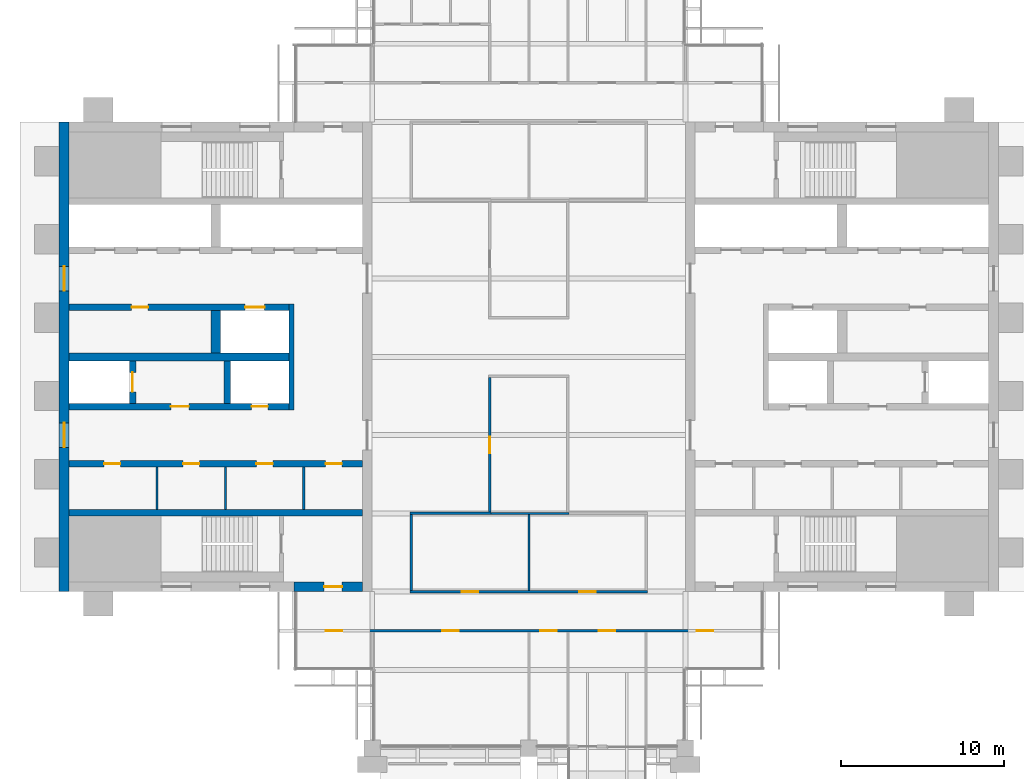
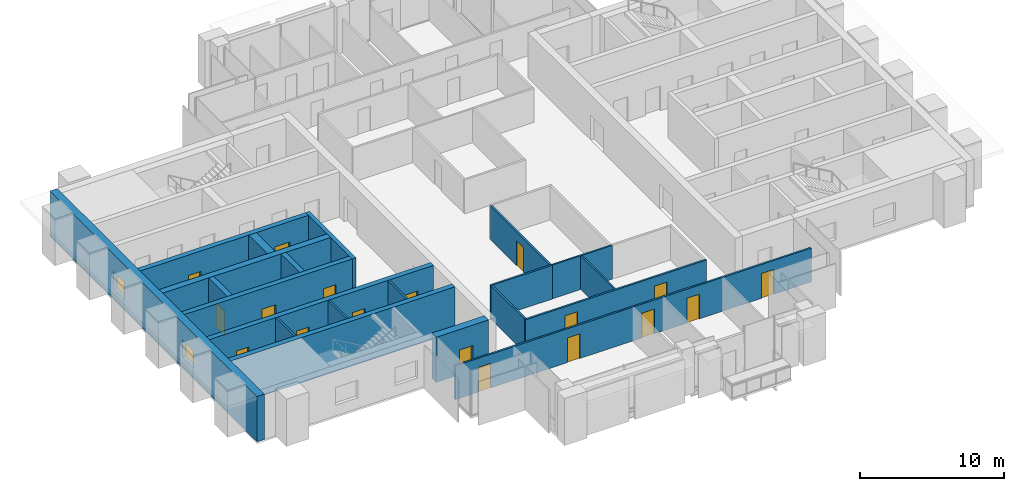
# One storey, part 8 of 13: 21 walls, 18 doors, 2 windows, 20 openings.
"""IFC4 building model written with IfcOpenShell, lengths in metres."""

from ifc_helpers import new_model, si_unit, direction, frame, frame_2d, origin, place, context, subcontext, project, spatial, rectangle, extrude, material, layer, layer_set, type_object, element, fill, save


model = new_model("IFC4")

# Units and contexts
model_context = context("Model", 3, precision=1e-05, world=origin(), true_north=direction((0.0, 1.0)))
body_context = subcontext(model_context, "Body", "Model", "MODEL_VIEW")
ifc_project = project(units=[si_unit("LENGTHUNIT", "METRE"), si_unit("AREAUNIT", "SQUARE_METRE"), si_unit("VOLUMEUNIT", "CUBIC_METRE"), si_unit("PLANEANGLEUNIT", "RADIAN"), si_unit("MASSUNIT", "GRAM", prefix="KILO")], contexts=[model_context])

# Site, building, storey
site_placement = place(None, origin())
site = spatial("IfcSite", under=ifc_project, at=site_placement, CompositionType="ELEMENT")
building_placement = place(site_placement, origin())
building = spatial("IfcBuilding", under=site, at=building_placement, Name="Baori Bourse Tower", CompositionType="ELEMENT")
storey_placement = place(building_placement, frame((0.0, 0.0, 302.300048828125)))
storey = spatial("IfcBuildingStorey", under=building, at=storey_placement, Name="L66", CompositionType="ELEMENT", Elevation=302.300048828125)

# Walls
ifc_material_1 = material(Name="Blockwork partition", Category="masonry")
ifc_layer_1 = layer(ifc_material_1, 0.14990234375)
ifc_layer_set_1 = layer_set([ifc_layer_1], Name="Core partition 150")
wall_type_1 = type_object("IfcWallType", Name="Core partition 150", PredefinedType="PARTITIONING", material=ifc_layer_set_1)
for number, where, z_axis, x_axis, name in (
    (1, (6.0, 14.64990234375, 0.0), (0.0, 0.0, 1.0), (0.0, 1.0, 0.0), "Partition wall W09"),
    (2, (10.199951171875, 14.64990234375, 0.0), (0.0, 0.0, 1.0), (0.0, 1.0, 0.0), "Partition wall W10"),
    (3, (15.0, 14.64990234375, 0.0), (0.0, 0.0, 1.0), (0.0, 1.0, 0.0), "Partition wall W11"),
):
    element("IfcWall", number, at=place(storey_placement, frame(where, z_axis=z_axis, x_axis=x_axis)), inside=storey, type_object=wall_type_1, Name=name, PredefinedType="PARTITIONING", context=body_context, shape_type="SweptSolid", body=[
        extrude(rectangle(XDim=2.60009765625, YDim=0.14990234375, at=frame_2d((1.300048828125, 0.0))), origin(), (0.0, 0.0, 1.0), 3.83984375),
    ])

# Wall, openings, windows
ifc_material_2 = material(Name="Concrete f'c 40 MPa", Category="concrete")
ifc_layer_2 = layer(ifc_material_2, 0.60009765625)
ifc_layer_set_2 = layer_set([ifc_layer_2], Name="Core wall 600 f'c 40")
wall_type_2 = type_object("IfcWallType", Name="Core wall 600 f'c 40", PredefinedType="SHEAR", material=ifc_layer_set_2)
wall_1_placement = place(storey_placement, frame((0.300048828125, 9.60009765625, 0.0), z_axis=(0.0, 0.0, 1.0), x_axis=(0.0, 1.0, 0.0)))
wall_1 = element("IfcWall", 4, at=wall_1_placement, inside=storey, type_object=wall_type_2, Name="Core wall W01", PredefinedType="SHEAR", context=body_context, shape_type="SweptSolid", body=[
    extrude(rectangle(XDim=28.7998046875, YDim=0.60009765625, at=frame_2d((14.39990234375, 0.0))), origin(), (0.0, 0.0, 1.0), 3.83984375),
])
opening_1_placement = place(wall_1_placement, frame((8.85009765625, 0.0, 0.89990234375)))
opening_1 = element("IfcOpeningElement", 5, at=opening_1_placement, cuts=wall_1, Name="Opening L66-KW101", PredefinedType="OPENING", context=body_context, shape_type="SweptSolid", body=[
    extrude(rectangle(XDim=1.5, YDim=1.5, at=frame_2d((0.75, 0.75))), frame((0.0, 0.31005859375, 0.0), z_axis=(0.0, -1.0, 0.0), x_axis=(1.0, 0.0, 0.0)), (0.0, 0.0, 1.0), 0.6201171875),
])
opening_2_placement = place(wall_1_placement, frame((18.449951171875, 0.0, 0.89990234375)))
opening_2 = element("IfcOpeningElement", 6, at=opening_2_placement, cuts=wall_1, Name="Opening L66-KW102", PredefinedType="OPENING", context=body_context, shape_type="SweptSolid", body=[
    extrude(rectangle(XDim=1.5, YDim=1.5, at=frame_2d((0.75, 0.75))), frame((0.0, 0.31005859375, 0.0), z_axis=(0.0, -1.0, 0.0), x_axis=(1.0, 0.0, 0.0)), (0.0, 0.0, 1.0), 0.6201171875),
])
ifc_material_3 = material(Name="Pale anodised aluminium", Category="aluminium")
window_type = type_object("IfcWindowType", Name="Lobby window 1500 x 1500", PartitioningType="SINGLE_PANEL", PredefinedType="WINDOW", material=ifc_material_3)
window_1_placement = place(opening_1_placement, origin())
window_1 = element("IfcWindow", 7, at=window_1_placement, inside=storey, type_object=window_type, Name="Outer wall window W L66 1", OverallHeight=1.5, OverallWidth=1.5, PartitioningType="SINGLE_PANEL", PredefinedType="WINDOW", context=body_context, shape_type="SweptSolid", body=[
    extrude(rectangle(XDim=1.5, YDim=1.5, at=frame_2d((0.75, 0.75))), frame((0.0, 0.030029296875, 0.0), z_axis=(0.0, -1.0, 0.0), x_axis=(1.0, 0.0, 0.0)), (0.0, 0.0, 1.0), 0.06005859375),
])
fill(opening_1, window_1)
window_2_placement = place(opening_2_placement, origin())
window_2 = element("IfcWindow", 8, at=window_2_placement, inside=storey, type_object=window_type, Name="Outer wall window W L66 2", OverallHeight=1.5, OverallWidth=1.5, PartitioningType="SINGLE_PANEL", PredefinedType="WINDOW", context=body_context, shape_type="SweptSolid", body=[
    extrude(rectangle(XDim=1.5, YDim=1.5, at=frame_2d((0.75, 0.75))), frame((0.0, 0.030029296875, 0.0), z_axis=(0.0, -1.0, 0.0), x_axis=(1.0, 0.0, 0.0)), (0.0, 0.0, 1.0), 0.06005859375),
])
fill(opening_2, window_2)

# Wall, opening, door
wall_2_placement = place(storey_placement, frame((18.60009765625, 9.89990234375, 0.0), z_axis=(0.0, 0.0, 1.0), x_axis=(-1.0, 0.0, 0.0)))
wall_2 = element("IfcWall", 9, at=wall_2_placement, inside=storey, type_object=wall_type_2, Name="Core wall W03", PredefinedType="SHEAR", context=body_context, shape_type="SweptSolid", body=[
    extrude(rectangle(XDim=4.2001953125, YDim=0.60009765625, at=frame_2d((2.10009765625, 0.0))), origin(), (0.0, 0.0, 1.0), 3.83984375),
])
opening_3_placement = place(wall_2_placement, frame((1.25, 0.0, 0.0)))
opening_3 = element("IfcOpeningElement", 10, at=opening_3_placement, cuts=wall_2, Name="Opening L66-D102", PredefinedType="OPENING", context=body_context, shape_type="SweptSolid", body=[
    extrude(rectangle(XDim=1.10009765625, YDim=2.10009765625, at=frame_2d((0.550048828125, 1.050048828125))), frame((0.0, 0.31005859375, 0.0), z_axis=(0.0, -1.0, 0.0), x_axis=(1.0, 0.0, 0.0)), (0.0, 0.0, 1.0), 0.6201171875),
])
ifc_material_4 = material(Name="Painted steel door", Category="steel")
door_type_1 = type_object("IfcDoorType", Name="Stair door 1100", OperationType="SINGLE_SWING_LEFT", PredefinedType="DOOR", material=ifc_material_4)
door_1_placement = place(opening_3_placement, origin())
door_1 = element("IfcDoor", 11, at=door_1_placement, inside=storey, type_object=door_type_1, Name="Stair vestibule door A W L66", OperationType="SINGLE_SWING_LEFT", OverallHeight=2.10009765625, OverallWidth=1.10009765625, PredefinedType="DOOR", context=body_context, shape_type="SweptSolid", body=[
    extrude(rectangle(XDim=1.10009765625, YDim=2.10009765625, at=frame_2d((0.550048828125, 1.050048828125))), frame((0.0, 0.02490234375, 0.0), z_axis=(0.0, -1.0, 0.0), x_axis=(1.0, 0.0, 0.0)), (0.0, 0.0, 1.0), 0.050048828125),
])
fill(opening_3, door_1)

# Wall, openings, doors
ifc_material_5 = material(Name="Gypsum board partition")
ifc_layer_3 = layer(ifc_material_5, 0.14990234375)
ifc_layer_set_3 = layer_set([ifc_layer_3], Name="Corridor partition 150")
wall_type_3 = type_object("IfcWallType", Name="Corridor partition 150", PredefinedType="PARTITIONING", material=ifc_layer_set_3)
wall_3_placement = place(storey_placement, frame((14.5, 7.199951171875, 0.0), z_axis=(0.0, 0.0, 1.0), x_axis=(1.0, 0.0, 0.0)))
wall_3 = element("IfcWall", 12, at=wall_3_placement, inside=storey, type_object=wall_type_3, Name="Partition", PredefinedType="PARTITIONING", context=body_context, shape_type="SweptSolid", body=[
    extrude(rectangle(XDim=28.60009765625, YDim=0.14990234375, at=frame_2d((14.300048828125, 0.0))), origin(), (0.0, 0.0, 1.0), 2.86962890625),
])
opening_4_placement = place(wall_3_placement, frame((1.85009765625, 0.0, 0.0)))
opening_4 = element("IfcOpeningElement", 13, at=opening_4_placement, cuts=wall_3, Name="Opening L66-D01", PredefinedType="OPENING", context=body_context, shape_type="SweptSolid", body=[
    extrude(rectangle(XDim=1.0, YDim=2.10009765625, at=frame_2d((0.5, 1.050048828125))), frame((0.0, 0.0849609375, 0.0), z_axis=(0.0, -1.0, 0.0), x_axis=(1.0, 0.0, 0.0)), (0.0, 0.0, 1.0), 0.169921875),
])
opening_5_placement = place(wall_3_placement, frame((9.0, 0.0, 0.0)))
opening_5 = element("IfcOpeningElement", 14, at=opening_5_placement, cuts=wall_3, Name="Opening L66-D02", PredefinedType="OPENING", context=body_context, shape_type="SweptSolid", body=[
    extrude(rectangle(XDim=1.0, YDim=2.10009765625, at=frame_2d((0.5, 1.050048828125))), frame((0.0, 0.0849609375, 0.0), z_axis=(0.0, -1.0, 0.0), x_axis=(1.0, 0.0, 0.0)), (0.0, 0.0, 1.0), 0.169921875),
])
opening_6_placement = place(wall_3_placement, frame((15.0, 0.0, 0.0)))
opening_6 = element("IfcOpeningElement", 15, at=opening_6_placement, cuts=wall_3, Name="Opening L66-D03", PredefinedType="OPENING", context=body_context, shape_type="SweptSolid", body=[
    extrude(rectangle(XDim=1.0, YDim=2.10009765625, at=frame_2d((0.5, 1.050048828125))), frame((0.0, 0.0849609375, 0.0), z_axis=(0.0, -1.0, 0.0), x_axis=(1.0, 0.0, 0.0)), (0.0, 0.0, 1.0), 0.169921875),
])
opening_7_placement = place(wall_3_placement, frame((18.60009765625, 0.0, 0.0)))
opening_7 = element("IfcOpeningElement", 16, at=opening_7_placement, cuts=wall_3, Name="Opening L66-D04", PredefinedType="OPENING", context=body_context, shape_type="SweptSolid", body=[
    extrude(rectangle(XDim=1.0, YDim=2.10009765625, at=frame_2d((0.5, 1.050048828125))), frame((0.0, 0.0849609375, 0.0), z_axis=(0.0, -1.0, 0.0), x_axis=(1.0, 0.0, 0.0)), (0.0, 0.0, 1.0), 0.169921875),
])
opening_8_placement = place(wall_3_placement, frame((24.60009765625, 0.0, 0.0)))
opening_8 = element("IfcOpeningElement", 17, at=opening_8_placement, cuts=wall_3, Name="Opening L66-D05", PredefinedType="OPENING", context=body_context, shape_type="SweptSolid", body=[
    extrude(rectangle(XDim=1.0, YDim=2.10009765625, at=frame_2d((0.5, 1.050048828125))), frame((0.0, 0.0849609375, 0.0), z_axis=(0.0, -1.0, 0.0), x_axis=(1.0, 0.0, 0.0)), (0.0, 0.0, 1.0), 0.169921875),
])
ifc_material_6 = material(Name="Timber door leaf", Category="wood")
door_type_2 = type_object("IfcDoorType", Name="Door 1000 x 2100", OperationType="SINGLE_SWING_LEFT", PredefinedType="DOOR", material=ifc_material_6)
door_2_placement = place(opening_4_placement, origin())
door_2 = element("IfcDoor", 18, at=door_2_placement, inside=storey, type_object=door_type_2, Name="Door", OperationType="SINGLE_SWING_LEFT", OverallHeight=2.10009765625, OverallWidth=1.0, PredefinedType="DOOR", context=body_context, shape_type="SweptSolid", body=[
    extrude(rectangle(XDim=1.0, YDim=2.10009765625, at=frame_2d((0.5, 1.050048828125))), frame((0.0, 0.02490234375, 0.0), z_axis=(0.0, -1.0, 0.0), x_axis=(1.0, 0.0, 0.0)), (0.0, 0.0, 1.0), 0.050048828125),
])
fill(opening_4, door_2)
door_3_placement = place(opening_5_placement, origin())
door_3 = element("IfcDoor", 19, at=door_3_placement, inside=storey, type_object=door_type_2, Name="Door", OperationType="SINGLE_SWING_LEFT", OverallHeight=2.10009765625, OverallWidth=1.0, PredefinedType="DOOR", context=body_context, shape_type="SweptSolid", body=[
    extrude(rectangle(XDim=1.0, YDim=2.10009765625, at=frame_2d((0.5, 1.050048828125))), frame((0.0, 0.02490234375, 0.0), z_axis=(0.0, -1.0, 0.0), x_axis=(1.0, 0.0, 0.0)), (0.0, 0.0, 1.0), 0.050048828125),
])
fill(opening_5, door_3)
door_4_placement = place(opening_6_placement, origin())
door_4 = element("IfcDoor", 20, at=door_4_placement, inside=storey, type_object=door_type_2, Name="Door", OperationType="SINGLE_SWING_RIGHT", OverallHeight=2.10009765625, OverallWidth=1.0, PredefinedType="DOOR", context=body_context, shape_type="SweptSolid", body=[
    extrude(rectangle(XDim=1.0, YDim=2.10009765625, at=frame_2d((0.5, 1.050048828125))), frame((0.0, 0.02490234375, 0.0), z_axis=(0.0, -1.0, 0.0), x_axis=(1.0, 0.0, 0.0)), (0.0, 0.0, 1.0), 0.050048828125),
])
fill(opening_6, door_4)
door_5_placement = place(opening_7_placement, origin())
door_5 = element("IfcDoor", 21, at=door_5_placement, inside=storey, type_object=door_type_2, Name="Door", OperationType="SINGLE_SWING_RIGHT", OverallHeight=2.10009765625, OverallWidth=1.0, PredefinedType="DOOR", context=body_context, shape_type="SweptSolid", body=[
    extrude(rectangle(XDim=1.0, YDim=2.10009765625, at=frame_2d((0.5, 1.050048828125))), frame((0.0, 0.02490234375, 0.0), z_axis=(0.0, -1.0, 0.0), x_axis=(1.0, 0.0, 0.0)), (0.0, 0.0, 1.0), 0.050048828125),
])
fill(opening_7, door_5)
door_6_placement = place(opening_8_placement, origin())
door_6 = element("IfcDoor", 22, at=door_6_placement, inside=storey, type_object=door_type_2, Name="Door", OperationType="SINGLE_SWING_RIGHT", OverallHeight=2.10009765625, OverallWidth=1.0, PredefinedType="DOOR", context=body_context, shape_type="SweptSolid", body=[
    extrude(rectangle(XDim=1.0, YDim=2.10009765625, at=frame_2d((0.5, 1.050048828125))), frame((0.0, 0.02490234375, 0.0), z_axis=(0.0, -1.0, 0.0), x_axis=(1.0, 0.0, 0.0)), (0.0, 0.0, 1.0), 0.050048828125),
])
fill(opening_8, door_6)

wall_4_placement = place(storey_placement, frame((21.52490234375, 9.60009765625, 0.0), z_axis=(0.0, 0.0, 1.0), x_axis=(1.0, 0.0, 0.0)))
wall_4 = element("IfcWall", 23, at=wall_4_placement, inside=storey, type_object=wall_type_3, Name="Partition", PredefinedType="PARTITIONING", context=body_context, shape_type="SweptSolid", body=[
    extrude(rectangle(XDim=14.550048828125, YDim=0.14990234375, at=frame_2d((7.27490234375, 0.0))), origin(), (0.0, 0.0, 1.0), 2.86962890625),
])
opening_9_placement = place(wall_4_placement, frame((3.175048828125, 0.0, 0.0)))
opening_9 = element("IfcOpeningElement", 24, at=opening_9_placement, cuts=wall_4, Name="Opening L66-D06", PredefinedType="OPENING", context=body_context, shape_type="SweptSolid", body=[
    extrude(rectangle(XDim=1.0, YDim=2.10009765625, at=frame_2d((0.5, 1.050048828125))), frame((0.0, 0.0849609375, 0.0), z_axis=(0.0, -1.0, 0.0), x_axis=(1.0, 0.0, 0.0)), (0.0, 0.0, 1.0), 0.169921875),
])
opening_10_placement = place(wall_4_placement, frame((10.375, 0.0, 0.0)))
opening_10 = element("IfcOpeningElement", 25, at=opening_10_placement, cuts=wall_4, Name="Opening L66-D07", PredefinedType="OPENING", context=body_context, shape_type="SweptSolid", body=[
    extrude(rectangle(XDim=1.0, YDim=2.10009765625, at=frame_2d((0.5, 1.050048828125))), frame((0.0, 0.0849609375, 0.0), z_axis=(0.0, -1.0, 0.0), x_axis=(1.0, 0.0, 0.0)), (0.0, 0.0, 1.0), 0.169921875),
])
door_7_placement = place(opening_9_placement, origin())
door_7 = element("IfcDoor", 26, at=door_7_placement, inside=storey, type_object=door_type_2, Name="Door", OperationType="SINGLE_SWING_RIGHT", OverallHeight=2.10009765625, OverallWidth=1.0, PredefinedType="DOOR", context=body_context, shape_type="SweptSolid", body=[
    extrude(rectangle(XDim=1.0, YDim=2.10009765625, at=frame_2d((0.5, 1.050048828125))), frame((0.0, 0.02490234375, 0.0), z_axis=(0.0, -1.0, 0.0), x_axis=(1.0, 0.0, 0.0)), (0.0, 0.0, 1.0), 0.050048828125),
])
fill(opening_9, door_7)
door_8_placement = place(opening_10_placement, origin())
door_8 = element("IfcDoor", 27, at=door_8_placement, inside=storey, type_object=door_type_2, Name="Door", OperationType="SINGLE_SWING_LEFT", OverallHeight=2.10009765625, OverallWidth=1.0, PredefinedType="DOOR", context=body_context, shape_type="SweptSolid", body=[
    extrude(rectangle(XDim=1.0, YDim=2.10009765625, at=frame_2d((0.5, 1.050048828125))), frame((0.0, 0.02490234375, 0.0), z_axis=(0.0, -1.0, 0.0), x_axis=(1.0, 0.0, 0.0)), (0.0, 0.0, 1.0), 0.050048828125),
])
fill(opening_10, door_8)

# Walls
wall_5_placement = place(storey_placement, frame((21.52490234375, 14.39990234375, 0.0), z_axis=(0.0, 0.0, 1.0), x_axis=(1.0, 0.0, 0.0)))
element("IfcWall", 28, at=wall_5_placement, inside=storey, type_object=wall_type_3, Name="Partition", PredefinedType="PARTITIONING", context=body_context, shape_type="SweptSolid", body=[
    extrude(rectangle(XDim=4.9501953125, YDim=0.14990234375, at=frame_2d((2.47509765625, 0.0))), origin(), (0.0, 0.0, 1.0), 2.86962890625),
])
wall_6_placement = place(storey_placement, frame((21.60009765625, 9.675048828125, 0.0), z_axis=(0.0, 0.0, 1.0), x_axis=(0.0, 1.0, 0.0)))
element("IfcWall", 29, at=wall_6_placement, inside=storey, type_object=wall_type_3, Name="Partition", PredefinedType="PARTITIONING", context=body_context, shape_type="SweptSolid", body=[
    extrude(rectangle(XDim=4.64990234375, YDim=0.14990234375, at=frame_2d((2.324951171875, 0.0))), origin(), (0.0, 0.0, 1.0), 2.86962890625),
])

# Wall, opening, door
wall_7_placement = place(storey_placement, frame((26.39990234375, 14.47509765625, 0.0), z_axis=(0.0, 0.0, 1.0), x_axis=(0.0, 1.0, 0.0)))
wall_7 = element("IfcWall", 30, at=wall_7_placement, inside=storey, type_object=wall_type_3, Name="Partition", PredefinedType="PARTITIONING", context=body_context, shape_type="SweptSolid", body=[
    extrude(rectangle(XDim=8.25, YDim=0.14990234375, at=frame_2d((4.125, 0.0))), origin(), (0.0, 0.0, 1.0), 2.86962890625),
])
opening_11_placement = place(wall_7_placement, frame((3.625, 0.0, 0.0)))
opening_11 = element("IfcOpeningElement", 31, at=opening_11_placement, cuts=wall_7, Name="Opening L66-D20", PredefinedType="OPENING", context=body_context, shape_type="SweptSolid", body=[
    extrude(rectangle(XDim=1.0, YDim=2.10009765625, at=frame_2d((0.5, 1.050048828125))), frame((0.0, 0.0849609375, 0.0), z_axis=(0.0, -1.0, 0.0), x_axis=(1.0, 0.0, 0.0)), (0.0, 0.0, 1.0), 0.169921875),
])
door_9_placement = place(opening_11_placement, origin())
door_9 = element("IfcDoor", 32, at=door_9_placement, inside=storey, type_object=door_type_2, Name="Door", OperationType="SINGLE_SWING_RIGHT", OverallHeight=2.10009765625, OverallWidth=1.0, PredefinedType="DOOR", context=body_context, shape_type="SweptSolid", body=[
    extrude(rectangle(XDim=1.0, YDim=2.10009765625, at=frame_2d((0.5, 1.050048828125))), frame((0.0, 0.02490234375, 0.0), z_axis=(0.0, -1.0, 0.0), x_axis=(1.0, 0.0, 0.0)), (0.0, 0.0, 1.0), 0.050048828125),
])
fill(opening_11, door_9)

# Walls
ifc_material_7 = material(Name="Gypsum board partition")
ifc_layer_4 = layer(ifc_material_7, 0.125)
ifc_layer_set_4 = layer_set([ifc_layer_4], Name="Partition 125")
wall_type_4 = type_object("IfcWallType", Name="Partition 125", PredefinedType="PARTITIONING", material=ifc_layer_set_4)
wall_8_placement = place(storey_placement, frame((26.47509765625, 14.39990234375, 0.0), z_axis=(0.0, 0.0, 1.0), x_axis=(1.0, 0.0, 0.0)))
element("IfcWall", 33, at=wall_8_placement, inside=storey, type_object=wall_type_4, Name="Partition", PredefinedType="PARTITIONING", context=body_context, shape_type="SweptSolid", body=[
    extrude(rectangle(XDim=4.7998046875, YDim=0.125, at=frame_2d((2.39990234375, 0.0))), origin(), (0.0, 0.0, 1.0), 2.86962890625),
])
wall_9_placement = place(storey_placement, frame((28.800048828125, 9.675048828125, 0.0), z_axis=(0.0, 0.0, 1.0), x_axis=(0.0, 1.0, 0.0)))
element("IfcWall", 34, at=wall_9_placement, inside=storey, type_object=wall_type_4, Name="Partition", PredefinedType="PARTITIONING", context=body_context, shape_type="SweptSolid", body=[
    extrude(rectangle(XDim=4.662353515625, YDim=0.125, at=frame_2d((2.3310546875, 0.0))), origin(), (0.0, 0.0, 1.0), 2.86962890625),
])
ifc_material_8 = material(Name="Concrete f'c 40 MPa", Category="concrete")
ifc_layer_5 = layer(ifc_material_8, 0.300048828125)
ifc_layer_set_5 = layer_set([ifc_layer_5], Name="Shaft wall 300 f'c 40")
wall_type_5 = type_object("IfcWallType", Name="Shaft wall 300 f'c 40", PredefinedType="SHEAR", material=ifc_layer_set_5)
wall_10_placement = place(storey_placement, frame((14.25, 20.75, 0.0), z_axis=(0.0, 0.0, 1.0), x_axis=(0.0, 1.0, 0.0)))
element("IfcWall", 35, at=wall_10_placement, inside=storey, type_object=wall_type_5, Name="Core wall W14", PredefinedType="SHEAR", context=body_context, shape_type="SweptSolid", body=[
    extrude(rectangle(XDim=6.5, YDim=0.300048828125, at=frame_2d((3.25, 0.0))), origin(), (0.0, 0.0, 1.0), 3.83984375),
])
ifc_material_9 = material(Name="Concrete f'c 40 MPa", Category="concrete")
ifc_layer_6 = layer(ifc_material_9, 0.39990234375)
ifc_layer_set_6 = layer_set([ifc_layer_6], Name="Shaft wall 400 f'c 40")
wall_type_6 = type_object("IfcWallType", Name="Shaft wall 400 f'c 40", PredefinedType="SHEAR", material=ifc_layer_set_6)
wall_11_placement = place(storey_placement, frame((0.60009765625, 14.449951171875, 0.0), z_axis=(0.0, 0.0, 1.0), x_axis=(1.0, 0.0, 0.0)))
element("IfcWall", 36, at=wall_11_placement, inside=storey, type_object=wall_type_6, Name="Core wall W08", PredefinedType="SHEAR", context=body_context, shape_type="SweptSolid", body=[
    extrude(rectangle(XDim=18.0, YDim=0.39990234375, at=frame_2d((9.0, 0.0))), origin(), (0.0, 0.0, 1.0), 3.83984375),
])

# Wall, openings, doors
wall_12_placement = place(storey_placement, frame((0.60009765625, 17.449951171875, 0.0), z_axis=(0.0, 0.0, 1.0), x_axis=(1.0, 0.0, 0.0)))
wall_12 = element("IfcWall", 37, at=wall_12_placement, inside=storey, type_object=wall_type_6, Name="Core wall W12", PredefinedType="SHEAR", context=body_context, shape_type="SweptSolid", body=[
    extrude(rectangle(XDim=18.0, YDim=0.39990234375, at=frame_2d((9.0, 0.0))), origin(), (0.0, 0.0, 1.0), 3.83984375),
])
opening_12_placement = place(wall_12_placement, frame((2.16259765625, 0.0, 0.0)))
opening_12 = element("IfcOpeningElement", 38, at=opening_12_placement, cuts=wall_12, Name="Opening L66-D109", PredefinedType="OPENING", context=body_context, shape_type="SweptSolid", body=[
    extrude(rectangle(XDim=1.0, YDim=2.10009765625, at=frame_2d((0.5, 1.050048828125))), frame((0.0, 0.2099609375, 0.0), z_axis=(0.0, -1.0, 0.0), x_axis=(1.0, 0.0, 0.0)), (0.0, 0.0, 1.0), 0.419921875),
])
opening_13_placement = place(wall_12_placement, frame((7.0, 0.0, 0.0)))
opening_13 = element("IfcOpeningElement", 39, at=opening_13_placement, cuts=wall_12, Name="Opening L66-D110", PredefinedType="OPENING", context=body_context, shape_type="SweptSolid", body=[
    extrude(rectangle(XDim=1.0, YDim=2.10009765625, at=frame_2d((0.5, 1.050048828125))), frame((0.0, 0.2099609375, 0.0), z_axis=(0.0, -1.0, 0.0), x_axis=(1.0, 0.0, 0.0)), (0.0, 0.0, 1.0), 0.419921875),
])
opening_14_placement = place(wall_12_placement, frame((11.5, 0.0, 0.0)))
opening_14 = element("IfcOpeningElement", 40, at=opening_14_placement, cuts=wall_12, Name="Opening L66-D111", PredefinedType="OPENING", context=body_context, shape_type="SweptSolid", body=[
    extrude(rectangle(XDim=1.0, YDim=2.10009765625, at=frame_2d((0.5, 1.050048828125))), frame((0.0, 0.2099609375, 0.0), z_axis=(0.0, -1.0, 0.0), x_axis=(1.0, 0.0, 0.0)), (0.0, 0.0, 1.0), 0.419921875),
])
opening_15_placement = place(wall_12_placement, frame((15.737548828125, 0.0, 0.0)))
opening_15 = element("IfcOpeningElement", 41, at=opening_15_placement, cuts=wall_12, Name="Opening L66-D112", PredefinedType="OPENING", context=body_context, shape_type="SweptSolid", body=[
    extrude(rectangle(XDim=1.0, YDim=2.10009765625, at=frame_2d((0.5, 1.050048828125))), frame((0.0, 0.2099609375, 0.0), z_axis=(0.0, -1.0, 0.0), x_axis=(1.0, 0.0, 0.0)), (0.0, 0.0, 1.0), 0.419921875),
])
ifc_material_10 = material(Name="Painted steel door", Category="steel")
door_type_3 = type_object("IfcDoorType", Name="Core door 1000", OperationType="SINGLE_SWING_LEFT", PredefinedType="DOOR", material=ifc_material_10)
door_10_placement = place(opening_12_placement, origin())
door_10 = element("IfcDoor", 42, at=door_10_placement, inside=storey, type_object=door_type_3, Name="Men'S Wc door W L66", OperationType="SINGLE_SWING_LEFT", OverallHeight=2.10009765625, OverallWidth=1.0, PredefinedType="DOOR", context=body_context, shape_type="SweptSolid", body=[
    extrude(rectangle(XDim=1.0, YDim=2.10009765625, at=frame_2d((0.5, 1.050048828125))), frame((0.0, 0.02490234375, 0.0), z_axis=(0.0, -1.0, 0.0), x_axis=(1.0, 0.0, 0.0)), (0.0, 0.0, 1.0), 0.050048828125),
])
fill(opening_12, door_10)
door_11_placement = place(opening_13_placement, origin())
door_11 = element("IfcDoor", 43, at=door_11_placement, inside=storey, type_object=door_type_3, Name="Accessible Wc door W L66", OperationType="SINGLE_SWING_LEFT", OverallHeight=2.10009765625, OverallWidth=1.0, PredefinedType="DOOR", context=body_context, shape_type="SweptSolid", body=[
    extrude(rectangle(XDim=1.0, YDim=2.10009765625, at=frame_2d((0.5, 1.050048828125))), frame((0.0, 0.02490234375, 0.0), z_axis=(0.0, -1.0, 0.0), x_axis=(1.0, 0.0, 0.0)), (0.0, 0.0, 1.0), 0.050048828125),
])
fill(opening_13, door_11)
door_12_placement = place(opening_14_placement, origin())
door_12 = element("IfcDoor", 44, at=door_12_placement, inside=storey, type_object=door_type_3, Name="Women'S Wc door W L66", OperationType="SINGLE_SWING_LEFT", OverallHeight=2.10009765625, OverallWidth=1.0, PredefinedType="DOOR", context=body_context, shape_type="SweptSolid", body=[
    extrude(rectangle(XDim=1.0, YDim=2.10009765625, at=frame_2d((0.5, 1.050048828125))), frame((0.0, 0.02490234375, 0.0), z_axis=(0.0, -1.0, 0.0), x_axis=(1.0, 0.0, 0.0)), (0.0, 0.0, 1.0), 0.050048828125),
])
fill(opening_14, door_12)
ifc_material_11 = material(Name="Painted steel door", Category="steel")
door_type_4 = type_object("IfcDoorType", Name="Plant room door 1000", OperationType="SINGLE_SWING_LEFT", PredefinedType="DOOR", material=ifc_material_11)
door_13_placement = place(opening_15_placement, origin())
door_13 = element("IfcDoor", 45, at=door_13_placement, inside=storey, type_object=door_type_4, Name="Communications Room door W L66", OperationType="SINGLE_SWING_LEFT", OverallHeight=2.10009765625, OverallWidth=1.0, PredefinedType="DOOR", context=body_context, shape_type="SweptSolid", body=[
    extrude(rectangle(XDim=1.0, YDim=2.10009765625, at=frame_2d((0.5, 1.050048828125))), frame((0.0, 0.02490234375, 0.0), z_axis=(0.0, -1.0, 0.0), x_axis=(1.0, 0.0, 0.0)), (0.0, 0.0, 1.0), 0.050048828125),
])
fill(opening_15, door_13)

wall_13_placement = place(storey_placement, frame((0.60009765625, 20.949951171875, 0.0), z_axis=(0.0, 0.0, 1.0), x_axis=(1.0, 0.0, 0.0)))
wall_13 = element("IfcWall", 46, at=wall_13_placement, inside=storey, type_object=wall_type_6, Name="Core wall W13", PredefinedType="SHEAR", context=body_context, shape_type="SweptSolid", body=[
    extrude(rectangle(XDim=13.5, YDim=0.39990234375, at=frame_2d((6.75, 0.0))), origin(), (0.0, 0.0, 1.0), 3.83984375),
])
opening_16_placement = place(wall_13_placement, frame((6.25, 0.0, 0.0)))
opening_16 = element("IfcOpeningElement", 47, at=opening_16_placement, cuts=wall_13, Name="Opening L66-D105", PredefinedType="OPENING", context=body_context, shape_type="SweptSolid", body=[
    extrude(rectangle(XDim=1.10009765625, YDim=2.10009765625, at=frame_2d((0.550048828125, 1.050048828125))), frame((0.0, 0.2099609375, 0.0), z_axis=(0.0, -1.0, 0.0), x_axis=(1.0, 0.0, 0.0)), (0.0, 0.0, 1.0), 0.419921875),
])
opening_17_placement = place(wall_13_placement, frame((11.199951171875, 0.0, 0.0)))
opening_17 = element("IfcOpeningElement", 48, at=opening_17_placement, cuts=wall_13, Name="Opening L66-D106", PredefinedType="OPENING", context=body_context, shape_type="SweptSolid", body=[
    extrude(rectangle(XDim=1.0, YDim=2.10009765625, at=frame_2d((0.5, 1.050048828125))), frame((0.0, 0.2099609375, 0.0), z_axis=(0.0, -1.0, 0.0), x_axis=(1.0, 0.0, 0.0)), (0.0, 0.0, 1.0), 0.419921875),
])
ifc_material_12 = material(Name="Painted steel door", Category="steel")
door_type_5 = type_object("IfcDoorType", Name="Lobby door 1100", OperationType="SINGLE_SWING_LEFT", PredefinedType="DOOR", material=ifc_material_12)
door_14_placement = place(opening_16_placement, origin())
door_14 = element("IfcDoor", 49, at=door_14_placement, inside=storey, type_object=door_type_5, Name="Firefighting lobby door W L66", OperationType="SINGLE_SWING_LEFT", OverallHeight=2.10009765625, OverallWidth=1.10009765625, PredefinedType="DOOR", context=body_context, shape_type="SweptSolid", body=[
    extrude(rectangle(XDim=1.10009765625, YDim=2.10009765625, at=frame_2d((0.550048828125, 1.050048828125))), frame((0.0, 0.02490234375, 0.0), z_axis=(0.0, -1.0, 0.0), x_axis=(1.0, 0.0, 0.0)), (0.0, 0.0, 1.0), 0.050048828125),
])
fill(opening_16, door_14)
ifc_material_13 = material(Name="Painted steel door", Category="steel")
door_type_6 = type_object("IfcDoorType", Name="Shaft door 1000", OperationType="SINGLE_SWING_LEFT", PredefinedType="DOOR", material=ifc_material_13)
door_15_placement = place(opening_17_placement, origin())
door_15 = element("IfcDoor", 50, at=door_15_placement, inside=storey, type_object=door_type_6, Name="Riser room door W L66", OperationType="SINGLE_SWING_LEFT", OverallHeight=2.10009765625, OverallWidth=1.0, PredefinedType="DOOR", context=body_context, shape_type="SweptSolid", body=[
    extrude(rectangle(XDim=1.0, YDim=2.10009765625, at=frame_2d((0.5, 1.050048828125))), frame((0.0, 0.02490234375, 0.0), z_axis=(0.0, -1.0, 0.0), x_axis=(1.0, 0.0, 0.0)), (0.0, 0.0, 1.0), 0.050048828125),
])
fill(opening_17, door_15)

# Wall, opening, door
wall_14_placement = place(storey_placement, frame((4.5, 21.14990234375, 0.0), z_axis=(0.0, 0.0, 1.0), x_axis=(0.0, 1.0, 0.0)))
wall_14 = element("IfcWall", 51, at=wall_14_placement, inside=storey, type_object=wall_type_6, Name="Core wall W15", PredefinedType="SHEAR", context=body_context, shape_type="SweptSolid", body=[
    extrude(rectangle(XDim=2.60009765625, YDim=0.39990234375, at=frame_2d((1.300048828125, 0.0))), origin(), (0.0, 0.0, 1.0), 3.83984375),
])
opening_18_placement = place(wall_14_placement, frame((0.699951171875, 0.0, 0.0)))
opening_18 = element("IfcOpeningElement", 52, at=opening_18_placement, cuts=wall_14, Name="Opening L66-D121", PredefinedType="OPENING", context=body_context, shape_type="SweptSolid", body=[
    extrude(rectangle(XDim=1.199951171875, YDim=2.10009765625, at=frame_2d((0.60009765625, 1.050048828125))), frame((0.0, 0.2099609375, 0.0), z_axis=(0.0, -1.0, 0.0), x_axis=(1.0, 0.0, 0.0)), (0.0, 0.0, 1.0), 0.419921875),
])
ifc_material_14 = material(Name="Stainless steel door", Category="steel")
door_type_7 = type_object("IfcDoorType", Name="Lift landing door", OperationType="DOUBLE_DOOR_SLIDING", PredefinedType="DOOR", material=ifc_material_14)
door_16_placement = place(opening_18_placement, origin())
door_16 = element("IfcDoor", 53, at=door_16_placement, inside=storey, type_object=door_type_7, Name="Lift landing door FF1 W L66", OperationType="DOUBLE_DOOR_SLIDING", OverallHeight=2.10009765625, OverallWidth=1.199951171875, PredefinedType="DOOR", context=body_context, shape_type="SweptSolid", body=[
    extrude(rectangle(XDim=1.199951171875, YDim=2.10009765625, at=frame_2d((0.60009765625, 1.050048828125))), frame((0.0, 0.02490234375, 0.0), z_axis=(0.0, -1.0, 0.0), x_axis=(1.0, 0.0, 0.0)), (0.0, 0.0, 1.0), 0.050048828125),
])
fill(opening_18, door_16)

# Wall
wall_15_placement = place(storey_placement, frame((10.300048828125, 21.14990234375, 0.0), z_axis=(0.0, 0.0, 1.0), x_axis=(0.0, 1.0, 0.0)))
element("IfcWall", 54, at=wall_15_placement, inside=storey, type_object=wall_type_6, Name="Core wall W16", PredefinedType="SHEAR", context=body_context, shape_type="SweptSolid", body=[
    extrude(rectangle(XDim=2.60009765625, YDim=0.39990234375, at=frame_2d((1.300048828125, 0.0))), origin(), (0.0, 0.0, 1.0), 3.83984375),
])

# Wall, openings, doors
wall_16_placement = place(storey_placement, frame((0.60009765625, 27.050048828125, 0.0), z_axis=(0.0, 0.0, 1.0), x_axis=(1.0, 0.0, 0.0)))
wall_16 = element("IfcWall", 55, at=wall_16_placement, inside=storey, type_object=wall_type_6, Name="Core wall W19", PredefinedType="SHEAR", context=body_context, shape_type="SweptSolid", body=[
    extrude(rectangle(XDim=13.5, YDim=0.39990234375, at=frame_2d((6.75, 0.0))), origin(), (0.0, 0.0, 1.0), 3.83984375),
])
opening_19_placement = place(wall_16_placement, frame((3.85009765625, 0.0, 0.0)))
opening_19 = element("IfcOpeningElement", 56, at=opening_19_placement, cuts=wall_16, Name="Opening L66-D113", PredefinedType="OPENING", context=body_context, shape_type="SweptSolid", body=[
    extrude(rectangle(XDim=1.0, YDim=2.10009765625, at=frame_2d((0.5, 1.050048828125))), frame((0.0, 0.2099609375, 0.0), z_axis=(0.0, -1.0, 0.0), x_axis=(1.0, 0.0, 0.0)), (0.0, 0.0, 1.0), 0.419921875),
])
opening_20_placement = place(wall_16_placement, frame((10.800048828125, 0.0, 0.0)))
opening_20 = element("IfcOpeningElement", 57, at=opening_20_placement, cuts=wall_16, Name="Opening L66-D120", PredefinedType="OPENING", context=body_context, shape_type="SweptSolid", body=[
    extrude(rectangle(XDim=1.199951171875, YDim=2.10009765625, at=frame_2d((0.60009765625, 1.050048828125))), frame((0.0, 0.2099609375, 0.0), z_axis=(0.0, -1.0, 0.0), x_axis=(1.0, 0.0, 0.0)), (0.0, 0.0, 1.0), 0.419921875),
])
door_17_placement = place(opening_19_placement, origin())
door_17 = element("IfcDoor", 58, at=door_17_placement, inside=storey, type_object=door_type_3, Name="Pantry door W L66", OperationType="SINGLE_SWING_LEFT", OverallHeight=2.10009765625, OverallWidth=1.0, PredefinedType="DOOR", context=body_context, shape_type="SweptSolid", body=[
    extrude(rectangle(XDim=1.0, YDim=2.10009765625, at=frame_2d((0.5, 1.050048828125))), frame((0.0, 0.02490234375, 0.0), z_axis=(0.0, -1.0, 0.0), x_axis=(1.0, 0.0, 0.0)), (0.0, 0.0, 1.0), 0.050048828125),
])
fill(opening_19, door_17)
door_18_placement = place(opening_20_placement, origin())
door_18 = element("IfcDoor", 59, at=door_18_placement, inside=storey, type_object=door_type_7, Name="Lift landing door SV1 W L66", OperationType="DOUBLE_DOOR_SLIDING", OverallHeight=2.10009765625, OverallWidth=1.199951171875, PredefinedType="DOOR", context=body_context, shape_type="SweptSolid", body=[
    extrude(rectangle(XDim=1.199951171875, YDim=2.10009765625, at=frame_2d((0.60009765625, 1.050048828125))), frame((0.0, 0.02490234375, 0.0), z_axis=(0.0, -1.0, 0.0), x_axis=(1.0, 0.0, 0.0)), (0.0, 0.0, 1.0), 0.050048828125),
])
fill(opening_20, door_18)

# Walls
ifc_material_15 = material(Name="Concrete f'c 40 MPa", Category="concrete")
ifc_layer_7 = layer(ifc_material_15, 0.5)
ifc_layer_set_7 = layer_set([ifc_layer_7], Name="Shaft wall 500 f'c 40")
wall_type_7 = type_object("IfcWallType", Name="Shaft wall 500 f'c 40", PredefinedType="SHEAR", material=ifc_layer_set_7)
wall_17_placement = place(storey_placement, frame((0.60009765625, 24.0, 0.0), z_axis=(0.0, 0.0, 1.0), x_axis=(1.0, 0.0, 0.0)))
element("IfcWall", 60, at=wall_17_placement, inside=storey, type_object=wall_type_7, Name="Core wall W17", PredefinedType="SHEAR", context=body_context, shape_type="SweptSolid", body=[
    extrude(rectangle(XDim=13.5, YDim=0.5, at=frame_2d((6.75, 0.0))), origin(), (0.0, 0.0, 1.0), 3.83984375),
])
ifc_material_16 = material(Name="Concrete f'c 40 MPa", Category="concrete")
ifc_layer_8 = layer(ifc_material_16, 0.60009765625)
ifc_layer_set_8 = layer_set([ifc_layer_8], Name="Shaft wall 600 f'c 40")
wall_type_8 = type_object("IfcWallType", Name="Shaft wall 600 f'c 40", PredefinedType="SHEAR", material=ifc_layer_set_8)
wall_18_placement = place(storey_placement, frame((9.60009765625, 24.25, 0.0), z_axis=(0.0, 0.0, 1.0), x_axis=(0.0, 1.0, 0.0)))
element("IfcWall", 61, at=wall_18_placement, inside=storey, type_object=wall_type_8, Name="Core wall W18", PredefinedType="SHEAR", context=body_context, shape_type="SweptSolid", body=[
    extrude(rectangle(XDim=2.60009765625, YDim=0.60009765625, at=frame_2d((1.300048828125, 0.0))), origin(), (0.0, 0.0, 1.0), 3.83984375),
])

save(model, "model.ifc")
